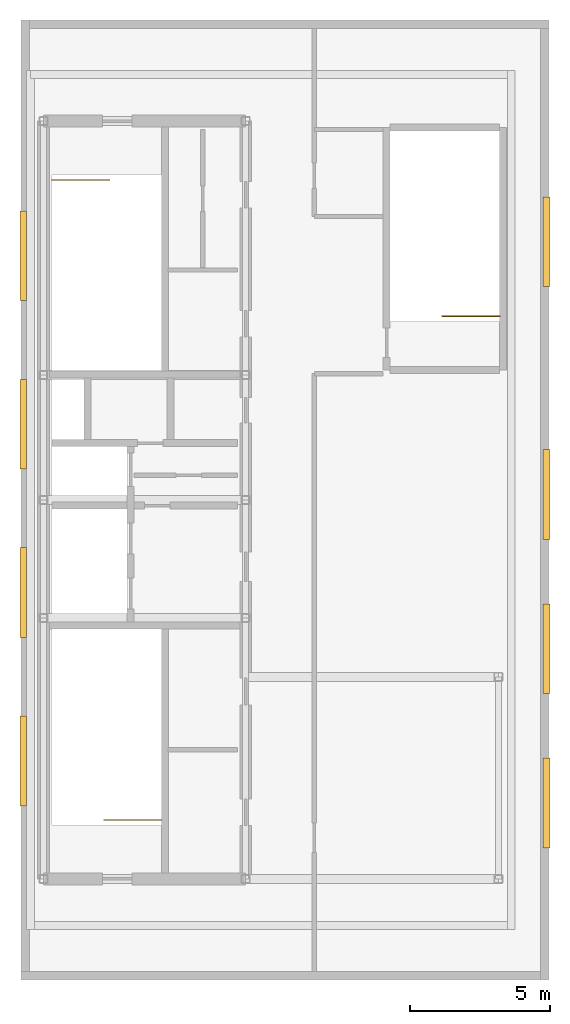
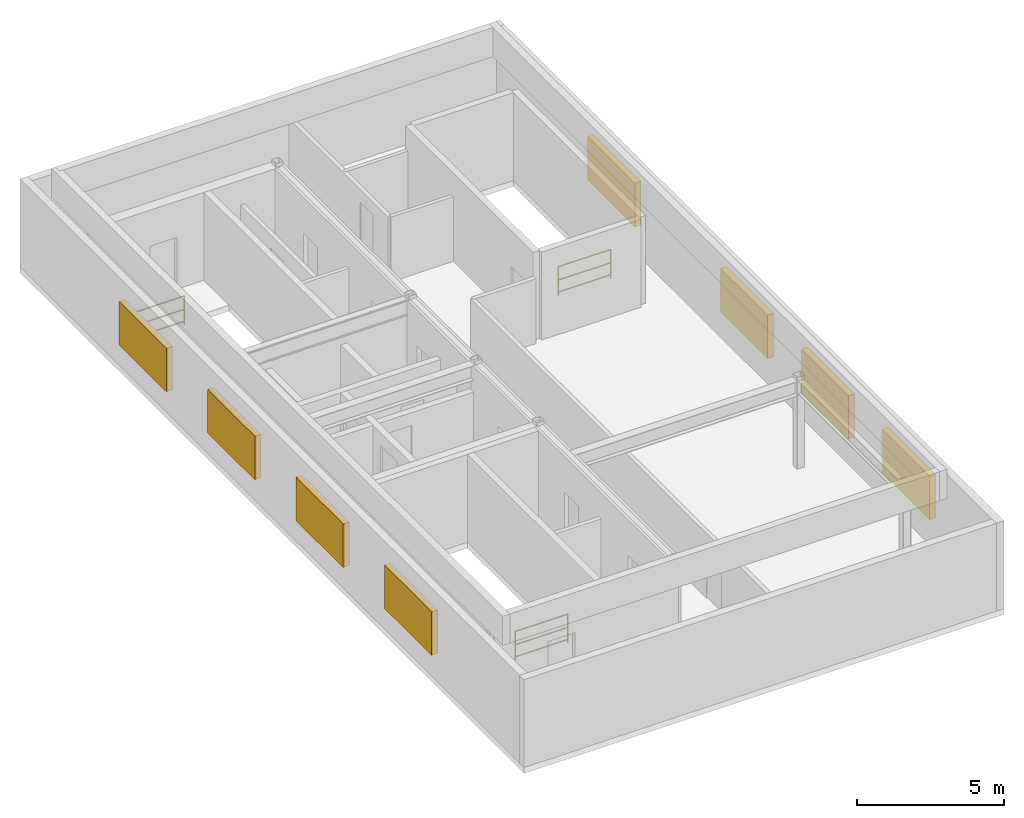
# One storey, part 3 of 3: 8 shading devices, 3 railings.
"""IFC4 building model written with IfcOpenShell, lengths in metres."""

from ifc_helpers import new_model, entity, si_unit, converted_unit, direction, frame, origin_with_axes, origin_2d_with_axis, place, context, subcontext, project, spatial, rectangle, circle, extrude, material, type_object, element, save


model = new_model("IFC4")

# Units and contexts
model_context = context("Model", 3, precision=1e-05, world=origin_with_axes(), true_north=direction((0.0, 1.0)))
body_context = subcontext(model_context, "Body", "Model", "MODEL_VIEW")
ifc_project = project(units=[si_unit("LENGTHUNIT", "METRE"), si_unit("AREAUNIT", "SQUARE_METRE"), si_unit("VOLUMEUNIT", "CUBIC_METRE"), converted_unit("PLANEANGLEUNIT", "DEGREE", entity("IfcPlaneAngleMeasure", 0.017453292519943295), si_unit("PLANEANGLEUNIT", "RADIAN"), dimensions=[0, 0, 0, 0, 0, 0, 0]), si_unit("MASSUNIT", "GRAM", prefix="KILO"), si_unit("THERMODYNAMICTEMPERATUREUNIT", "KELVIN")], contexts=[model_context])

# Site, building, storey
site_placement = place(None, origin_with_axes())
site = spatial("IfcSite", under=ifc_project, at=site_placement, CompositionType="ELEMENT")
building_placement = place(site_placement, origin_with_axes())
building = spatial("IfcBuilding", under=site, at=building_placement, Name="Varnlund Millrace Tower", CompositionType="ELEMENT")
storey_placement = place(building_placement, frame((0.0, 0.0, 332.1), z_axis=(0.0, 0.0, 1.0), x_axis=(1.0, 0.0, 0.0)))
storey = spatial("IfcBuildingStorey", under=building, at=storey_placement, Name="L82", CompositionType="ELEMENT", Elevation=332.1)

# Shading devices
ifc_material_1 = material(Name="Architectural bronze cold-climate intake louvre", Category="aluminium")
shading_device_type = type_object("IfcShadingDeviceType", Name="Type-Shade-CrownLouvre-JAL", PredefinedType="JALOUSIE", material=ifc_material_1)
for number, where, z_axis, x_axis, name in (
    (1, (10.68, 15.0, 0.9), (0.0, 0.0, 1.0), (0.0, 1.0, 0.0), "Type-Shade-CrownLouvre-JAL"),
    (2, (10.68, 21.0, 0.9), (0.0, 0.0, 1.0), (0.0, 1.0, 0.0), "Type-Shade-CrownLouvre-JAL"),
    (3, (10.68, 27.0, 0.9), (0.0, 0.0, 1.0), (0.0, 1.0, 0.0), "Type-Shade-CrownLouvre-JAL"),
    (4, (10.68, 33.0, 0.9), (0.0, 0.0, 1.0), (0.0, 1.0, 0.0), "Type-Shade-CrownLouvre-JAL"),
    (5, (29.32, 13.5, 0.9), (0.0, 0.0, 1.0), (0.0, 1.0, 0.0), "Type-Shade-CrownLouvre-JAL"),
    (6, (29.32, 19.0, 0.9), (0.0, 0.0, 1.0), (0.0, 1.0, 0.0), "Type-Shade-CrownLouvre-JAL"),
    (7, (29.32, 24.5, 0.9), (0.0, 0.0, 1.0), (0.0, 1.0, 0.0), "Type-Shade-CrownLouvre-JAL"),
    (8, (29.32, 33.5, 0.9), (0.0, 0.0, 1.0), (0.0, 1.0, 0.0), "Type-Shade-CrownLouvre-JAL"),
):
    element("IfcShadingDevice", number, at=place(storey_placement, frame(where, z_axis=z_axis, x_axis=x_axis)), inside=storey, type_object=shading_device_type, Name=name, PredefinedType="JALOUSIE", context=body_context, shape_type="SweptSolid", body=[
        extrude(rectangle(XDim=3.2, YDim=0.24, at=origin_2d_with_axis()), origin_with_axes(), (0.0, 0.0, 1.0), 1.8),
    ])

# Railings
ifc_material_2 = material(Name="Painted steel stair well balustrade guard", Category="steel")
railing_type = type_object("IfcRailingType", Name="Type-StairGuard-1150", PredefinedType="GUARDRAIL", material=ifc_material_2)
railing_1_placement = place(storey_placement, frame((0.0, 0.0, -332.1), z_axis=(0.0, 0.0, 1.0), x_axis=(1.0, 0.0, 0.0)))
element("IfcRailing", 9, at=railing_1_placement, inside=storey, type_object=railing_type, Name="Type-StairGuard-1150", PredefinedType="GUARDRAIL", context=body_context, shape_type="SweptSolid", body=[
    extrude(circle(Radius=0.024, at=origin_2d_with_axis()), frame((15.6, 12.9, 333.25), z_axis=(-1.0, 0.0, 0.0), x_axis=(0.0, -1.0, 0.0)), (0.0, 0.0, 1.0), 2.05),
    extrude(circle(Radius=0.024, at=origin_2d_with_axis()), frame((15.6, 12.9, 332.2), z_axis=(-1.0, 0.0, 0.0), x_axis=(0.0, -1.0, 0.0)), (0.0, 0.0, 1.0), 2.05),
    extrude(circle(Radius=0.024, at=origin_2d_with_axis()), frame((15.6, 12.9, 332.698), z_axis=(-1.0, 0.0, 0.0), x_axis=(0.0, -1.0, 0.0)), (0.0, 0.0, 1.0), 2.05),
    extrude(rectangle(XDim=0.04, YDim=0.04, at=origin_2d_with_axis()), frame((15.6, 12.9, 332.06), z_axis=(0.0, 0.0, 1.0), x_axis=(1.0, 0.0, 0.0)), (0.0, 0.0, 1.0), 1.19),
    extrude(rectangle(XDim=0.04, YDim=0.04, at=origin_2d_with_axis()), frame((13.55, 12.9, 332.06), z_axis=(0.0, 0.0, 1.0), x_axis=(1.0, 0.0, 0.0)), (0.0, 0.0, 1.0), 1.19),
])
railing_2_placement = place(storey_placement, frame((0.0, 0.0, -332.1), z_axis=(0.0, 0.0, 1.0), x_axis=(1.0, 0.0, 0.0)))
element("IfcRailing", 10, at=railing_2_placement, inside=storey, type_object=railing_type, Name="Type-StairGuard-1150", PredefinedType="GUARDRAIL", context=body_context, shape_type="SweptSolid", body=[
    extrude(circle(Radius=0.024, at=origin_2d_with_axis()), frame((11.7, 35.7, 333.25), z_axis=(1.0, 0.0, 0.0), x_axis=(0.0, 1.0, 0.0)), (0.0, 0.0, 1.0), 2.05),
    extrude(circle(Radius=0.024, at=origin_2d_with_axis()), frame((11.7, 35.7, 332.2), z_axis=(1.0, 0.0, 0.0), x_axis=(0.0, 1.0, 0.0)), (0.0, 0.0, 1.0), 2.05),
    extrude(circle(Radius=0.024, at=origin_2d_with_axis()), frame((11.7, 35.7, 332.698), z_axis=(1.0, 0.0, 0.0), x_axis=(0.0, 1.0, 0.0)), (0.0, 0.0, 1.0), 2.05),
    extrude(rectangle(XDim=0.04, YDim=0.04, at=origin_2d_with_axis()), frame((11.7, 35.7, 332.06), z_axis=(0.0, 0.0, 1.0), x_axis=(1.0, 0.0, 0.0)), (0.0, 0.0, 1.0), 1.19),
    extrude(rectangle(XDim=0.04, YDim=0.04, at=origin_2d_with_axis()), frame((13.75, 35.7, 332.06), z_axis=(0.0, 0.0, 1.0), x_axis=(1.0, 0.0, 0.0)), (0.0, 0.0, 1.0), 1.19),
])
railing_3_placement = place(storey_placement, frame((0.0, 0.0, -332.1), z_axis=(0.0, 0.0, 1.0), x_axis=(1.0, 0.0, 0.0)))
element("IfcRailing", 11, at=railing_3_placement, inside=storey, type_object=railing_type, Name="Type-StairGuard-1150", PredefinedType="GUARDRAIL", context=body_context, shape_type="SweptSolid", body=[
    extrude(circle(Radius=0.024, at=origin_2d_with_axis()), frame((27.65, 30.85, 333.25), z_axis=(-1.0, 0.0, 0.0), x_axis=(0.0, -1.0, 0.0)), (0.0, 0.0, 1.0), 2.05),
    extrude(circle(Radius=0.024, at=origin_2d_with_axis()), frame((27.65, 30.85, 332.2), z_axis=(-1.0, 0.0, 0.0), x_axis=(0.0, -1.0, 0.0)), (0.0, 0.0, 1.0), 2.05),
    extrude(circle(Radius=0.024, at=origin_2d_with_axis()), frame((27.65, 30.85, 332.698), z_axis=(-1.0, 0.0, 0.0), x_axis=(0.0, -1.0, 0.0)), (0.0, 0.0, 1.0), 2.05),
    extrude(rectangle(XDim=0.04, YDim=0.04, at=origin_2d_with_axis()), frame((27.65, 30.85, 332.06), z_axis=(0.0, 0.0, 1.0), x_axis=(1.0, 0.0, 0.0)), (0.0, 0.0, 1.0), 1.19),
    extrude(rectangle(XDim=0.04, YDim=0.04, at=origin_2d_with_axis()), frame((25.6, 30.85, 332.06), z_axis=(0.0, 0.0, 1.0), x_axis=(1.0, 0.0, 0.0)), (0.0, 0.0, 1.0), 1.19),
])

save(model, "model.ifc")
